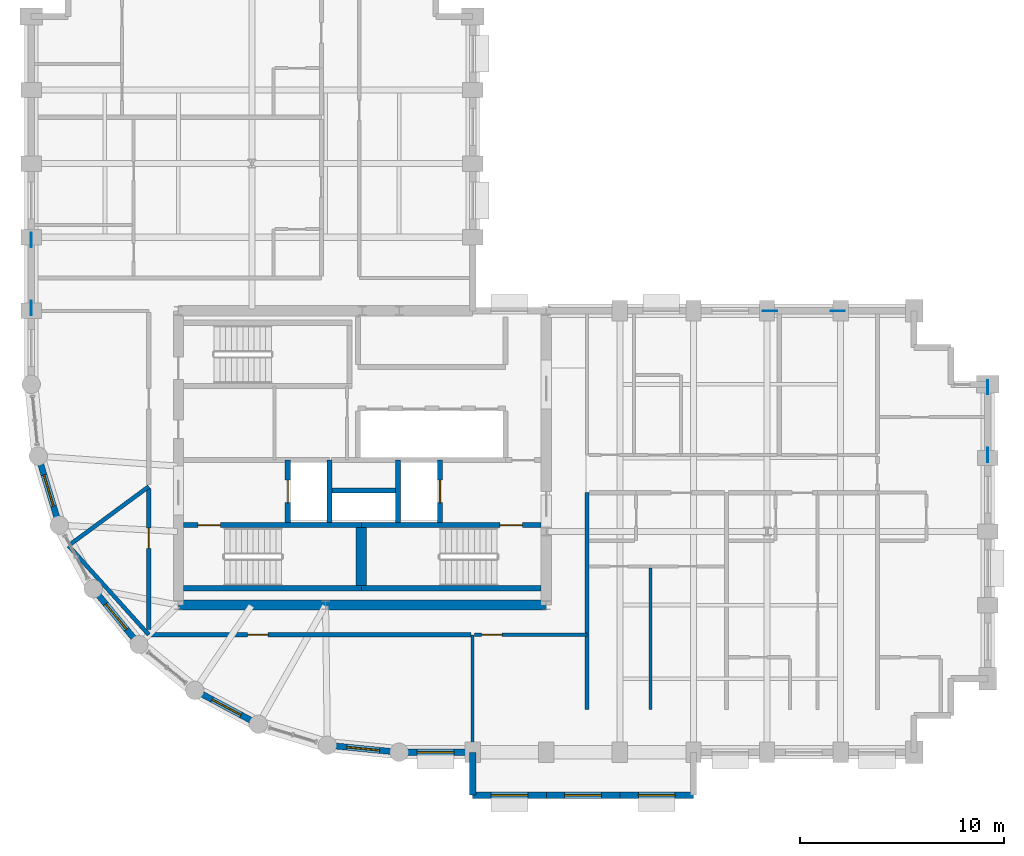
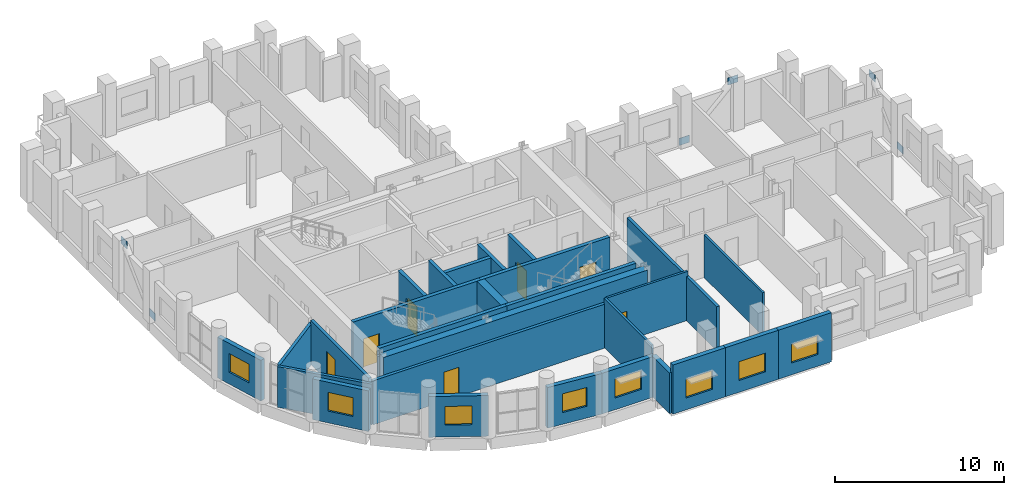
# One storey, part 7 of 14: 28 walls, 8 windows, 7 doors, 6 plates, 15 openings.
"""IFC4 building model written with IfcOpenShell, lengths in metres."""

import ifcopenshell
import ifcopenshell.guid

model = None  # the IFC model being written
_history = None  # IfcOwnerHistory: only IFC2X3 demands one
_inside = {}  # id of a spatial element -> (the spatial element, [elements in it])
_under = {}  # id of a project, library or spatial element -> (it, [spatial elements below it])
_declared = {}  # id of a project -> (the project, [libraries it declares])
_typed = {}  # id of a type object -> (the type object, [elements of that type])
_made_of = {}  # id of a material, layer set ... -> (it, [elements and type objects made of it])


def new_model(schema):
    """Start an empty IFC model of exactly this schema.

    Asked for "IFC4X3", IfcOpenShell would pick the latest addendum, in which some entities
    have other attributes; the version numbers below select the first issue.
    IFC2X3 requires an IfcOwnerHistory on every rooted entity: one is made here for all.
    """
    global model, _history
    if schema == "IFC4X3":
        model = ifcopenshell.file(schema_version=(4, 3, 0, 0))
    else:
        model = ifcopenshell.file(schema=schema)
    _inside.clear()
    _under.clear()
    _declared.clear()
    _typed.clear()
    _made_of.clear()
    _history = None
    if model.schema == "IFC2X3":
        org = make("IfcOrganization", Name="unknown")
        user = make(
            "IfcPersonAndOrganization",
            ThePerson=make("IfcPerson", FamilyName="unknown"),
            TheOrganization=org,
        )
        app = make(
            "IfcApplication",
            ApplicationDeveloper=org,
            Version="unknown",
            ApplicationFullName="unknown",
            ApplicationIdentifier="unknown",
        )
        _history = make(
            "IfcOwnerHistory",
            OwningUser=user,
            OwningApplication=app,
            ChangeAction="ADDED",
            CreationDate=0,
        )
    return model


def make(cls, **values):
    """One entity of the class cls with the attributes given. An attribute that is None is left unset."""
    return model.create_entity(
        cls, **{name: value for name, value in values.items() if value is not None}
    )


def rooted(cls, **values):
    """An entity with a GlobalId (a new one), such as an element, a storey or a relation."""
    return make(cls, GlobalId=ifcopenshell.guid.new(), OwnerHistory=_history, **values)


def si_unit(unit_type, name, prefix=None):
    """IfcSIUnit, for example si_unit("LENGTHUNIT", "METRE", prefix="MILLI")."""
    return make("IfcSIUnit", UnitType=unit_type, Prefix=prefix, Name=name)


def assignment(units):
    """IfcUnitAssignment: the units of a project."""
    return None if units is None else make("IfcUnitAssignment", Units=units)


def point(xyz):
    """IfcCartesianPoint."""
    return None if xyz is None else make("IfcCartesianPoint", Coordinates=xyz)


def direction(xyz):
    """IfcDirection."""
    return None if xyz is None else make("IfcDirection", DirectionRatios=xyz)


def frame(location, z_axis=None, x_axis=None):
    """IfcAxis2Placement3D, a coordinate frame: its origin and axes. An axis left out is left unset."""
    return make(
        "IfcAxis2Placement3D",
        Location=point(location),
        Axis=direction(z_axis),
        RefDirection=direction(x_axis),
    )


def frame_2d(location, x_axis=None):
    """IfcAxis2Placement2D, a coordinate frame in the plane: its origin and x axis."""
    return make(
        "IfcAxis2Placement2D", Location=point(location), RefDirection=direction(x_axis)
    )


def origin():
    """The frame at (0, 0, 0) with its axes left unset."""
    return frame((0.0, 0.0, 0.0))


def origin_2d():
    """The frame at (0, 0) in the plane with its x axis left unset."""
    return frame_2d((0.0, 0.0))


def place(relative_to, where):
    """IfcLocalPlacement: puts the frame where relative to a parent placement (None: the world)."""
    return make(
        "IfcLocalPlacement", PlacementRelTo=relative_to, RelativePlacement=where
    )


def context(
    kind, dimensions, precision=None, world=None, true_north=None, identifier=None
):
    """IfcGeometricRepresentationContext, for example the 3D "Model" context."""
    return make(
        "IfcGeometricRepresentationContext",
        ContextIdentifier=identifier,
        ContextType=kind,
        CoordinateSpaceDimension=dimensions,
        Precision=precision,
        WorldCoordinateSystem=world,
        TrueNorth=true_north,
    )


def subcontext(parent, identifier, kind, view, scale=None):
    """IfcGeometricRepresentationSubContext, for example "Body" below "Model"."""
    return make(
        "IfcGeometricRepresentationSubContext",
        ContextIdentifier=identifier,
        ContextType=kind,
        ParentContext=parent,
        TargetScale=scale,
        TargetView=view,
    )


def project(units=None, contexts=None):
    """IfcProject with its units and contexts."""
    return rooted(
        "IfcProject",
        Name="project",
        RepresentationContexts=contexts,
        UnitsInContext=assignment(units),
    )


def spatial(cls, under=None, at=None, **own):
    """A site, building, storey or space (cls), placed at a placement, below another one or the project."""
    s = rooted(cls, ObjectPlacement=at, **own)
    if under is not None:
        _under.setdefault(under.id(), (under, []))[1].append(s)
    return s


def profile(cls, at=None, kind="AREA", **sizes):
    """A parametric profile (cls). Its sizes go by their IFC names, for example OverallWidth=200.0."""
    return make(cls, ProfileType=kind, Position=at, **sizes)


def rectangle(**sizes):
    """IfcRectangleProfileDef."""
    return profile("IfcRectangleProfileDef", **sizes)


def extrude(swept, where, along, depth):
    """IfcExtrudedAreaSolid: the profile swept, set in the frame where, extruded along a direction by depth."""
    return make(
        "IfcExtrudedAreaSolid",
        SweptArea=swept,
        Position=where,
        ExtrudedDirection=direction(along),
        Depth=depth,
    )


def shape(context_of_items, identifier, shape_type, items):
    """IfcShapeRepresentation: the items that make up one representation, for example the "Body"."""
    return make(
        "IfcShapeRepresentation",
        ContextOfItems=context_of_items,
        RepresentationIdentifier=identifier,
        RepresentationType=shape_type,
        Items=items,
    )


def material(Name=None, Category=None):
    """IfcMaterial."""
    return make("IfcMaterial", Name=Name, Category=Category)


def layer(
    of_material, thickness, ventilated=None, Name=None, Category=None, Priority=None
):
    """IfcMaterialLayer: one layer of a wall or slab, of a material (None: an air gap)."""
    return make(
        "IfcMaterialLayer",
        Material=of_material,
        LayerThickness=thickness,
        IsVentilated=ventilated,
        Name=Name,
        Category=Category,
        Priority=Priority,
    )


def layer_set(layers, Name=None):
    """IfcMaterialLayerSet."""
    return make("IfcMaterialLayerSet", MaterialLayers=layers, LayerSetName=Name)


def made_of(thing, what):
    """Note that an element or type object is made of a material, layer set ...; save() writes the relation."""
    if what is not None:
        _made_of.setdefault(what.id(), (what, []))[1].append(thing)
    return thing


def type_object(cls, material=None, **own):
    """A type object (cls), such as IfcWallType, which elements share."""
    return made_of(rooted(cls, **own), material)


def element(
    cls,
    number,
    at=None,
    inside=None,
    cuts=None,
    type_object=None,
    material=None,
    context=None,
    identifier="Body",
    shape_type=None,
    held_by="IfcProductDefinitionShape",
    body=None,
    shapes=None,
    **own,
):
    """One element of the class cls, such as IfcWall. Its Tag is "e" and its number.

    at: its placement. inside: the storey or other place that contains it. cuts: it is an
    opening in that element (IfcRelVoidsElement). A single representation is given by context,
    identifier, shape_type and body (its items); several are given by shapes. held_by: the class
    of the entity that holds the representations. save() writes the other relations.
    """
    e = rooted(cls, Tag="e%d" % number, ObjectPlacement=at, **own)
    if body is not None:
        shapes = [shape(context, identifier, shape_type, body)]
    if shapes is not None:
        e.Representation = make(held_by, Representations=shapes)
    if inside is not None:
        _inside.setdefault(inside.id(), (inside, []))[1].append(e)
    if cuts is not None:
        rooted(
            "IfcRelVoidsElement", RelatingBuildingElement=cuts, RelatedOpeningElement=e
        )
    if type_object is not None:
        _typed.setdefault(type_object.id(), (type_object, []))[1].append(e)
    return made_of(e, material)


def fill(opening, filler):
    """IfcRelFillsElement: the door or window that sits in an opening."""
    return rooted(
        "IfcRelFillsElement",
        RelatingOpeningElement=opening,
        RelatedBuildingElement=filler,
    )


def aggregate(whole, parts):
    """IfcRelAggregates: a whole, such as a stair, and the parts it consists of."""
    return rooted("IfcRelAggregates", RelatingObject=whole, RelatedObjects=parts)


def save(model, path):
    """Write the relations noted so far, then the file.

    IfcRelAggregates (storeys below a building ...), IfcRelContainedInSpatialStructure (elements
    in a storey), IfcRelDefinesByType, IfcRelAssociatesMaterial and IfcRelDeclares: one each for
    every whole, place, type object, material and project.
    """
    for whole, parts in _under.values():
        aggregate(whole, parts)
    for where, things in _inside.values():
        rooted(
            "IfcRelContainedInSpatialStructure",
            RelatedElements=things,
            RelatingStructure=where,
        )
    for kind, things in _typed.values():
        rooted("IfcRelDefinesByType", RelatedObjects=things, RelatingType=kind)
    for what, things in _made_of.values():
        rooted("IfcRelAssociatesMaterial", RelatedObjects=things, RelatingMaterial=what)
    for by, libraries in _declared.values():
        rooted("IfcRelDeclares", RelatingContext=by, RelatedDefinitions=libraries)
    model.write(path)


model = new_model("IFC4")

# Units and contexts
model_context = context("Model", 3, precision=1e-05, world=origin(), true_north=direction((0.0, 1.0)))
body_context = subcontext(model_context, "Body", "Model", "MODEL_VIEW")
ifc_project = project(units=[si_unit("LENGTHUNIT", "METRE"), si_unit("AREAUNIT", "SQUARE_METRE"), si_unit("VOLUMEUNIT", "CUBIC_METRE"), si_unit("PLANEANGLEUNIT", "RADIAN"), si_unit("MASSUNIT", "GRAM", prefix="KILO")], contexts=[model_context])

# Site, building, storey
site_placement = place(None, origin())
site = spatial("IfcSite", under=ifc_project, at=site_placement, CompositionType="ELEMENT")
building_placement = place(site_placement, origin())
building = spatial("IfcBuilding", under=site, at=building_placement, Name="Solnavia Interchange Tower", CompositionType="ELEMENT")
storey_placement = place(building_placement, frame((0.0, 0.0, 135.199951171875)))
storey = spatial("IfcBuildingStorey", under=building, at=storey_placement, Name="L33", CompositionType="ELEMENT", Elevation=135.199951171875)

# Plates
ifc_material_1 = material(Name="Steel S460", Category="steel")
ifc_layer_1 = layer(ifc_material_1, 0.030029296875)
ifc_layer_set_1 = layer_set([ifc_layer_1], Name="Steel S460")
plate_type = type_object("IfcPlateType", Name="Plate-Gusset-700x520x30", PredefinedType="USERDEFINED", material=ifc_layer_set_1)
for number, where, z_axis, x_axis, name in (
    (1, (7.199951171875, 25.340087890625, -0.080078125), (0.0, 0.0, 1.0), (0.0, 1.0, 0.0), "PLT-L33-GP01 Perimeter brace gusset plate"),
    (2, (7.199951171875, 28.659912109375, 3.110107421875), (0.0, 0.0, 1.0), (0.0, 1.0, 0.0), "PLT-L33-GP02 Perimeter brace gusset plate"),
    (3, (54.0, 18.139892578125, -0.080078125), (0.0, 0.0, 1.0), (0.0, 1.0, 0.0), "PLT-L33-GP03 Perimeter brace gusset plate"),
    (4, (54.0, 21.4599609375, 3.110107421875), (0.0, 0.0, 1.0), (0.0, 1.0, 0.0), "PLT-L33-GP04 Perimeter brace gusset plate"),
    (5, (43.340087890625, 25.199951171875, -0.080078125), (0.0, 0.0, 1.0), (1.0, 0.0, 0.0), "PLT-L33-GP05 Perimeter brace gusset plate"),
    (6, (46.659912109375, 25.199951171875, 3.110107421875), (0.0, 0.0, 1.0), (1.0, 0.0, 0.0), "PLT-L33-GP06 Perimeter brace gusset plate"),
):
    element("IfcPlate", number, at=place(storey_placement, frame(where, z_axis=z_axis, x_axis=x_axis)), inside=storey, type_object=plate_type, Name=name, ObjectType="GUSSET PLATE", PredefinedType="USERDEFINED", context=body_context, shape_type="SweptSolid", body=[
        extrude(rectangle(XDim=0.699951171875, YDim=0.030029296875, at=origin_2d()), origin(), (0.0, 0.0, 1.0), 0.52001953125),
    ])

# Walls
ifc_material_2 = material(Name="Gypsum Acoustic Twin-Stud & Mineral Wool", Category="gypsum")
ifc_layer_2 = layer(ifc_material_2, 0.199951171875)
ifc_layer_set_2 = layer_set([ifc_layer_2], Name="Gypsum Acoustic Twin-Stud & Mineral Wool")
wall_type_1 = type_object("IfcWallType", Name="Wall-ApartmentParty-200", PredefinedType="PARTITIONING", material=ifc_layer_set_2)
wall_1_placement = place(storey_placement, frame((12.949951171875, 9.35009765625, 0.0), z_axis=(0.0, 0.0, 1.0), x_axis=(-0.669433552235, 0.742871939934, 0.0)))
element("IfcWall", 7, at=wall_1_placement, inside=storey, type_object=wall_type_1, Name="PTW-L33-09 Interior partition wall", PredefinedType="PARTITIONING", context=body_context, shape_type="SweptSolid", body=[
    extrude(rectangle(XDim=5.86767578125, YDim=0.199951171875, at=frame_2d((2.933837890625, 0.0))), origin(), (0.0, 0.0, 1.0), 2.929931640625),
])
wall_2_placement = place(storey_placement, frame((12.949951171875, 16.60009765625, 0.0), z_axis=(0.0, 0.0, 1.0), x_axis=(-0.805356553796, -0.592790706116, 0.0)))
element("IfcWall", 8, at=wall_2_placement, inside=storey, type_object=wall_type_1, Name="PTW-L33-10 Interior partition wall", PredefinedType="PARTITIONING", context=body_context, shape_type="SweptSolid", body=[
    extrude(rectangle(XDim=4.7734375, YDim=0.199951171875, at=frame_2d((2.38671875, 0.0))), origin(), (0.0, 0.0, 1.0), 2.929931640625),
])

# Wall, opening, door
wall_3_placement = place(storey_placement, frame((12.949951171875, 9.618896484375, 0.0), z_axis=(0.0, 0.0, 1.0), x_axis=(0.0, 1.0, 0.0)))
wall_3 = element("IfcWall", 9, at=wall_3_placement, inside=storey, type_object=wall_type_1, Name="PTW-L33-12 Interior partition wall", PredefinedType="PARTITIONING", context=body_context, shape_type="SweptSolid", body=[
    extrude(rectangle(XDim=6.877197265625, YDim=0.199951171875, at=frame_2d((3.4384765625, 0.0))), origin(), (0.0, 0.0, 1.0), 3.170166015625),
])
opening_1_placement = place(wall_3_placement, frame((3.9619140625, 0.0, 0.0)))
opening_1 = element("IfcOpeningElement", 10, at=opening_1_placement, cuts=wall_3, Name="Opening DR-07", PredefinedType="OPENING", context=body_context, shape_type="SweptSolid", body=[
    extrude(rectangle(XDim=1.0, YDim=2.10009765625, at=frame_2d((0.5, 1.050048828125))), frame((0.0, 0.10986328125, 0.0), z_axis=(0.0, -1.0, 0.0), x_axis=(1.0, 0.0, 0.0)), (0.0, 0.0, 1.0), 0.219970703125),
])
ifc_material_3 = material(Name="Timber & Acoustic Glazed Office Door", Category="wood")
door_type_1 = type_object("IfcDoorType", Name="Door-Office-1000x2100", OperationType="SINGLE_SWING_RIGHT", PredefinedType="DOOR", material=ifc_material_3)
door_1_placement = place(opening_1_placement, origin())
door_1 = element("IfcDoor", 11, at=door_1_placement, inside=storey, type_object=door_type_1, Name="DR-L33-04 Interior room door", OperationType="SINGLE_SWING_RIGHT", OverallHeight=2.10009765625, OverallWidth=1.0, PredefinedType="DOOR", context=body_context, shape_type="SweptSolid", body=[
    extrude(rectangle(XDim=1.0, YDim=2.10009765625, at=frame_2d((0.5, 1.050048828125))), frame((0.0, 0.02490234375, 0.0), z_axis=(0.0, -1.0, 0.0), x_axis=(1.0, 0.0, 0.0)), (0.0, 0.0, 1.0), 0.050048828125),
])
fill(opening_1, door_1)

wall_4_placement = place(storey_placement, frame((12.949951171875, 9.35009765625, 0.0), z_axis=(0.0, 0.0, 1.0), x_axis=(1.0, 0.0, 0.0)))
wall_4 = element("IfcWall", 12, at=wall_4_placement, inside=storey, type_object=wall_type_1, Name="PTW-L33-13 Interior partition wall", PredefinedType="PARTITIONING", context=body_context, shape_type="SweptSolid", body=[
    extrude(rectangle(XDim=15.77099609375, YDim=0.199951171875, at=frame_2d((7.885498046875, 0.0))), origin(), (0.0, 0.0, 1.0), 3.170166015625),
])
opening_2_placement = place(wall_4_placement, frame((4.8359375, 0.0, 0.0)))
opening_2 = element("IfcOpeningElement", 13, at=opening_2_placement, cuts=wall_4, Name="Opening DR-07", PredefinedType="OPENING", context=body_context, shape_type="SweptSolid", body=[
    extrude(rectangle(XDim=1.0, YDim=2.10009765625, at=frame_2d((0.5, 1.050048828125))), frame((0.0, 0.10986328125, 0.0), z_axis=(0.0, -1.0, 0.0), x_axis=(1.0, 0.0, 0.0)), (0.0, 0.0, 1.0), 0.219970703125),
])
door_2_placement = place(opening_2_placement, origin())
door_2 = element("IfcDoor", 14, at=door_2_placement, inside=storey, type_object=door_type_1, Name="DR-L33-05 Interior room door", OperationType="SINGLE_SWING_LEFT", OverallHeight=2.10009765625, OverallWidth=1.0, PredefinedType="DOOR", context=body_context, shape_type="SweptSolid", body=[
    extrude(rectangle(XDim=1.0, YDim=2.10009765625, at=frame_2d((0.5, 1.050048828125))), frame((0.0, 0.02490234375, 0.0), z_axis=(0.0, -1.0, 0.0), x_axis=(1.0, 0.0, 0.0)), (0.0, 0.0, 1.0), 0.050048828125),
])
fill(opening_2, door_2)

# Wall
wall_5_placement = place(storey_placement, frame((34.39990234375, 5.699951171875, 0.0), z_axis=(0.0, 0.0, 1.0), x_axis=(0.0, 1.0, 0.0)))
element("IfcWall", 15, at=wall_5_placement, inside=storey, type_object=wall_type_1, Name="PTW-L33-15 Interior partition wall", PredefinedType="PARTITIONING", context=body_context, shape_type="SweptSolid", body=[
    extrude(rectangle(XDim=10.60009765625, YDim=0.199951171875, at=frame_2d((5.300048828125, 0.0))), origin(), (0.0, 0.0, 1.0), 3.170166015625),
])

# Wall, opening, window
ifc_material_4 = material(Name="Concrete C40/50", Category="concrete")
ifc_layer_3 = layer(ifc_material_4, 0.300048828125)
ifc_layer_set_3 = layer_set([ifc_layer_3], Name="Concrete C40/50")
wall_type_2 = type_object("IfcWallType", Name="Wall-ExtSpandrel-300", PredefinedType="STANDARD", material=ifc_layer_set_3)
wall_6_placement = place(storey_placement, frame((28.800048828125, 3.60009765625, 0.0), z_axis=(0.0, 0.0, 1.0), x_axis=(-1.0, 0.0, 0.0)))
wall_6 = element("IfcWall", 16, at=wall_6_placement, inside=storey, type_object=wall_type_2, Name="EXW-L33-01 Exterior precast spandrel wall", PredefinedType="STANDARD", context=body_context, shape_type="SweptSolid", body=[
    extrude(rectangle(XDim=3.60009765625, YDim=0.300048828125, at=frame_2d((1.800048828125, 0.0))), origin(), (0.0, 0.0, 1.0), 2.929931640625),
])
opening_3_placement = place(wall_6_placement, frame((0.925048828125, 0.0, 0.85009765625)))
opening_3 = element("IfcOpeningElement", 17, at=opening_3_placement, cuts=wall_6, Name="Opening WIN-02", PredefinedType="OPENING", context=body_context, shape_type="SweptSolid", body=[
    extrude(rectangle(XDim=1.800048828125, YDim=1.35009765625, at=frame_2d((0.89990234375, 0.675048828125))), frame((0.0, 0.16015625, 0.0), z_axis=(0.0, -1.0, 0.0), x_axis=(1.0, 0.0, 0.0)), (0.0, 0.0, 1.0), 0.320068359375),
])
ifc_material_5 = material(Name="Thermal-Break Aluminium & Low-E Glass", Category="aluminium")
window_type_1 = type_object("IfcWindowType", Name="Window-Ribbon-1800x1350", PartitioningType="SINGLE_PANEL", PredefinedType="WINDOW", material=ifc_material_5)
window_1_placement = place(opening_3_placement, origin())
window_1 = element("IfcWindow", 18, at=window_1_placement, inside=storey, type_object=window_type_1, Name="WIN-L33-01 Facade ribbon window", OverallHeight=1.35009765625, OverallWidth=1.800048828125, PartitioningType="SINGLE_PANEL", PredefinedType="WINDOW", context=body_context, shape_type="SweptSolid", body=[
    extrude(rectangle(XDim=1.800048828125, YDim=1.35009765625, at=frame_2d((0.89990234375, 0.675048828125))), frame((0.0, 0.030029296875, 0.0), z_axis=(0.0, -1.0, 0.0), x_axis=(1.0, 0.0, 0.0)), (0.0, 0.0, 1.0), 0.06005859375),
])
fill(opening_3, window_1)

# Wall
wall_7_placement = place(storey_placement, frame((28.800048828125, 3.60009765625, 0.0), z_axis=(0.0, 0.0, 1.0), x_axis=(0.0, -1.0, 0.0)))
element("IfcWall", 19, at=wall_7_placement, inside=storey, type_object=wall_type_2, Name="EXW-L33-02 Exterior precast spandrel wall", PredefinedType="STANDARD", context=body_context, shape_type="SweptSolid", body=[
    extrude(rectangle(XDim=2.10009765625, YDim=0.300048828125, at=frame_2d((1.050048828125, 0.0))), origin(), (0.0, 0.0, 1.0), 2.929931640625),
])

# Wall, opening, window
wall_8_placement = place(storey_placement, frame((32.39990234375, 1.5, 0.0), z_axis=(0.0, 0.0, 1.0), x_axis=(-1.0, 0.0, 0.0)))
wall_8 = element("IfcWall", 20, at=wall_8_placement, inside=storey, type_object=wall_type_2, Name="EXW-L33-03 Exterior precast spandrel wall", PredefinedType="STANDARD", context=body_context, shape_type="SweptSolid", body=[
    extrude(rectangle(XDim=3.599853515625, YDim=0.300048828125, at=frame_2d((1.7998046875, 0.0))), origin(), (0.0, 0.0, 1.0), 3.53515625),
])
opening_4_placement = place(wall_8_placement, frame((0.89990234375, 0.0, 0.85009765625)))
opening_4 = element("IfcOpeningElement", 21, at=opening_4_placement, cuts=wall_8, Name="Opening WIN-02", PredefinedType="OPENING", context=body_context, shape_type="SweptSolid", body=[
    extrude(rectangle(XDim=1.800048828125, YDim=1.35009765625, at=frame_2d((0.89990234375, 0.675048828125))), frame((0.0, 0.16015625, 0.0), z_axis=(0.0, -1.0, 0.0), x_axis=(1.0, 0.0, 0.0)), (0.0, 0.0, 1.0), 0.320068359375),
])
window_2_placement = place(opening_4_placement, origin())
window_2 = element("IfcWindow", 22, at=window_2_placement, inside=storey, type_object=window_type_1, Name="WIN-L33-03 Facade ribbon window", OverallHeight=1.35009765625, OverallWidth=1.800048828125, PartitioningType="SINGLE_PANEL", PredefinedType="WINDOW", context=body_context, shape_type="SweptSolid", body=[
    extrude(rectangle(XDim=1.800048828125, YDim=1.35009765625, at=frame_2d((0.89990234375, 0.675048828125))), frame((0.0, 0.030029296875, 0.0), z_axis=(0.0, -1.0, 0.0), x_axis=(1.0, 0.0, 0.0)), (0.0, 0.0, 1.0), 0.06005859375),
])
fill(opening_4, window_2)

wall_9_placement = place(storey_placement, frame((36.0, 1.5, 0.0), z_axis=(0.0, 0.0, 1.0), x_axis=(-1.0, 0.0, 0.0)))
wall_9 = element("IfcWall", 23, at=wall_9_placement, inside=storey, type_object=wall_type_2, Name="EXW-L33-04 Exterior precast spandrel wall", PredefinedType="STANDARD", context=body_context, shape_type="SweptSolid", body=[
    extrude(rectangle(XDim=3.60009765625, YDim=0.300048828125, at=frame_2d((1.800048828125, 0.0))), origin(), (0.0, 0.0, 1.0), 3.53515625),
])
opening_5_placement = place(wall_9_placement, frame((0.89990234375, 0.0, 0.85009765625)))
opening_5 = element("IfcOpeningElement", 24, at=opening_5_placement, cuts=wall_9, Name="Opening WIN-02", PredefinedType="OPENING", context=body_context, shape_type="SweptSolid", body=[
    extrude(rectangle(XDim=1.800048828125, YDim=1.35009765625, at=frame_2d((0.89990234375, 0.675048828125))), frame((0.0, 0.16015625, 0.0), z_axis=(0.0, -1.0, 0.0), x_axis=(1.0, 0.0, 0.0)), (0.0, 0.0, 1.0), 0.320068359375),
])
window_3_placement = place(opening_5_placement, origin())
window_3 = element("IfcWindow", 25, at=window_3_placement, inside=storey, type_object=window_type_1, Name="WIN-L33-04 Facade ribbon window", OverallHeight=1.35009765625, OverallWidth=1.800048828125, PartitioningType="SINGLE_PANEL", PredefinedType="WINDOW", context=body_context, shape_type="SweptSolid", body=[
    extrude(rectangle(XDim=1.800048828125, YDim=1.35009765625, at=frame_2d((0.89990234375, 0.675048828125))), frame((0.0, 0.030029296875, 0.0), z_axis=(0.0, -1.0, 0.0), x_axis=(1.0, 0.0, 0.0)), (0.0, 0.0, 1.0), 0.06005859375),
])
fill(opening_5, window_3)

wall_10_placement = place(storey_placement, frame((39.60009765625, 1.5, 0.0), z_axis=(0.0, 0.0, 1.0), x_axis=(-1.0, 0.0, 0.0)))
wall_10 = element("IfcWall", 26, at=wall_10_placement, inside=storey, type_object=wall_type_2, Name="EXW-L33-05 Exterior precast spandrel wall", PredefinedType="STANDARD", context=body_context, shape_type="SweptSolid", body=[
    extrude(rectangle(XDim=3.60009765625, YDim=0.300048828125, at=frame_2d((1.800048828125, 0.0))), origin(), (0.0, 0.0, 1.0), 3.53515625),
])
opening_6_placement = place(wall_10_placement, frame((0.89990234375, 0.0, 0.85009765625)))
opening_6 = element("IfcOpeningElement", 27, at=opening_6_placement, cuts=wall_10, Name="Opening WIN-02", PredefinedType="OPENING", context=body_context, shape_type="SweptSolid", body=[
    extrude(rectangle(XDim=1.800048828125, YDim=1.35009765625, at=frame_2d((0.89990234375, 0.675048828125))), frame((0.0, 0.16015625, 0.0), z_axis=(0.0, -1.0, 0.0), x_axis=(1.0, 0.0, 0.0)), (0.0, 0.0, 1.0), 0.320068359375),
])
window_4_placement = place(opening_6_placement, origin())
window_4 = element("IfcWindow", 28, at=window_4_placement, inside=storey, type_object=window_type_1, Name="WIN-L33-05 Facade ribbon window", OverallHeight=1.35009765625, OverallWidth=1.800048828125, PartitioningType="SINGLE_PANEL", PredefinedType="WINDOW", context=body_context, shape_type="SweptSolid", body=[
    extrude(rectangle(XDim=1.800048828125, YDim=1.35009765625, at=frame_2d((0.89990234375, 0.675048828125))), frame((0.0, 0.030029296875, 0.0), z_axis=(0.0, -1.0, 0.0), x_axis=(1.0, 0.0, 0.0)), (0.0, 0.0, 1.0), 0.06005859375),
])
fill(opening_6, window_4)

wall_11_placement = place(storey_placement, frame((8.570068359375, 14.7119140625, 0.0), z_axis=(0.0, 0.0, 1.0), x_axis=(-0.290305086481, 0.956934144423, 0.0)))
wall_11 = element("IfcWall", 29, at=wall_11_placement, inside=storey, type_object=wall_type_2, Name="EXW-L33-50 Exterior precast spandrel wall", PredefinedType="STANDARD", context=body_context, shape_type="SweptSolid", body=[
    extrude(rectangle(XDim=3.52783203125, YDim=0.300048828125, at=frame_2d((1.763916015625, 0.0))), origin(), (0.0, 0.0, 1.0), 2.929931640625),
])
opening_7_placement = place(wall_11_placement, frame((0.964111328125, 0.0, 0.85009765625)))
opening_7 = element("IfcOpeningElement", 30, at=opening_7_placement, cuts=wall_11, Name="Opening WIN-04", PredefinedType="OPENING", context=body_context, shape_type="SweptSolid", body=[
    extrude(rectangle(XDim=1.60009765625, YDim=1.35009765625, at=frame_2d((0.800048828125, 0.675048828125))), frame((0.0, 0.16015625, 0.0), z_axis=(0.0, -1.0, 0.0), x_axis=(1.0, 0.0, 0.0)), (0.0, 0.0, 1.0), 0.320068359375),
])
window_type_2 = type_object("IfcWindowType", Name="Window-Drum-1600x1350", PartitioningType="SINGLE_PANEL", PredefinedType="WINDOW", material=ifc_material_5)
window_5_placement = place(opening_7_placement, origin())
window_5 = element("IfcWindow", 31, at=window_5_placement, inside=storey, type_object=window_type_2, Name="WIN-L33-50 Facade ribbon window", OverallHeight=1.35009765625, OverallWidth=1.60009765625, PartitioningType="SINGLE_PANEL", PredefinedType="WINDOW", context=body_context, shape_type="SweptSolid", body=[
    extrude(rectangle(XDim=1.60009765625, YDim=1.35009765625, at=frame_2d((0.800048828125, 0.675048828125))), frame((0.0, 0.030029296875, 0.0), z_axis=(0.0, -1.0, 0.0), x_axis=(1.0, 0.0, 0.0)), (0.0, 0.0, 1.0), 0.06005859375),
])
fill(opening_7, window_5)

wall_12_placement = place(storey_placement, frame((12.471923828125, 8.8720703125, 0.0), z_axis=(0.0, 0.0, 1.0), x_axis=(-0.634258295121, 0.773121216285, 0.0)))
wall_12 = element("IfcWall", 32, at=wall_12_placement, inside=storey, type_object=wall_type_2, Name="EXW-L33-52 Exterior precast spandrel wall", PredefinedType="STANDARD", context=body_context, shape_type="SweptSolid", body=[
    extrude(rectangle(XDim=3.528564453125, YDim=0.300048828125, at=frame_2d((1.76416015625, 0.0))), origin(), (0.0, 0.0, 1.0), 2.929931640625),
])
opening_8_placement = place(wall_12_placement, frame((0.964111328125, 0.0, 0.85009765625)))
opening_8 = element("IfcOpeningElement", 33, at=opening_8_placement, cuts=wall_12, Name="Opening WIN-04", PredefinedType="OPENING", context=body_context, shape_type="SweptSolid", body=[
    extrude(rectangle(XDim=1.60009765625, YDim=1.35009765625, at=frame_2d((0.800048828125, 0.675048828125))), frame((0.0, 0.16015625, 0.0), z_axis=(0.0, -1.0, 0.0), x_axis=(1.0, 0.0, 0.0)), (0.0, 0.0, 1.0), 0.320068359375),
])
window_6_placement = place(opening_8_placement, origin())
window_6 = element("IfcWindow", 34, at=window_6_placement, inside=storey, type_object=window_type_2, Name="WIN-L33-52 Facade ribbon window", OverallHeight=1.35009765625, OverallWidth=1.60009765625, PartitioningType="SINGLE_PANEL", PredefinedType="WINDOW", context=body_context, shape_type="SweptSolid", body=[
    extrude(rectangle(XDim=1.60009765625, YDim=1.35009765625, at=frame_2d((0.800048828125, 0.675048828125))), frame((0.0, 0.030029296875, 0.0), z_axis=(0.0, -1.0, 0.0), x_axis=(1.0, 0.0, 0.0)), (0.0, 0.0, 1.0), 0.06005859375),
])
fill(opening_8, window_6)

wall_13_placement = place(storey_placement, frame((18.31201171875, 4.969970703125, 0.0), z_axis=(0.0, 0.0, 1.0), x_axis=(-0.881846862014, 0.471535907389, 0.0)))
wall_13 = element("IfcWall", 35, at=wall_13_placement, inside=storey, type_object=wall_type_2, Name="EXW-L33-54 Exterior precast spandrel wall", PredefinedType="STANDARD", context=body_context, shape_type="SweptSolid", body=[
    extrude(rectangle(XDim=3.529052734375, YDim=0.300048828125, at=frame_2d((1.7646484375, 0.0))), origin(), (0.0, 0.0, 1.0), 2.929931640625),
])
opening_9_placement = place(wall_13_placement, frame((0.964111328125, 0.0, 0.85009765625)))
opening_9 = element("IfcOpeningElement", 36, at=opening_9_placement, cuts=wall_13, Name="Opening WIN-04", PredefinedType="OPENING", context=body_context, shape_type="SweptSolid", body=[
    extrude(rectangle(XDim=1.60009765625, YDim=1.35009765625, at=frame_2d((0.800048828125, 0.675048828125))), frame((0.0, 0.16015625, 0.0), z_axis=(0.0, -1.0, 0.0), x_axis=(1.0, 0.0, 0.0)), (0.0, 0.0, 1.0), 0.320068359375),
])
window_7_placement = place(opening_9_placement, origin())
window_7 = element("IfcWindow", 37, at=window_7_placement, inside=storey, type_object=window_type_2, Name="WIN-L33-54 Facade ribbon window", OverallHeight=1.35009765625, OverallWidth=1.60009765625, PartitioningType="SINGLE_PANEL", PredefinedType="WINDOW", context=body_context, shape_type="SweptSolid", body=[
    extrude(rectangle(XDim=1.60009765625, YDim=1.35009765625, at=frame_2d((0.800048828125, 0.675048828125))), frame((0.0, 0.030029296875, 0.0), z_axis=(0.0, -1.0, 0.0), x_axis=(1.0, 0.0, 0.0)), (0.0, 0.0, 1.0), 0.06005859375),
])
fill(opening_9, window_7)

wall_14_placement = place(storey_placement, frame((25.199951171875, 3.60009765625, 0.0), z_axis=(0.0, 0.0, 1.0), x_axis=(-0.995183369056, 0.098030923459, 0.0)))
wall_14 = element("IfcWall", 38, at=wall_14_placement, inside=storey, type_object=wall_type_2, Name="EXW-L33-56 Exterior precast spandrel wall", PredefinedType="STANDARD", context=body_context, shape_type="SweptSolid", body=[
    extrude(rectangle(XDim=3.529052734375, YDim=0.300048828125, at=frame_2d((1.7646484375, 0.0))), origin(), (0.0, 0.0, 1.0), 2.929931640625),
])
opening_10_placement = place(wall_14_placement, frame((0.965087890625, 0.0, 0.85009765625)))
opening_10 = element("IfcOpeningElement", 39, at=opening_10_placement, cuts=wall_14, Name="Opening WIN-04", PredefinedType="OPENING", context=body_context, shape_type="SweptSolid", body=[
    extrude(rectangle(XDim=1.60009765625, YDim=1.35009765625, at=frame_2d((0.800048828125, 0.675048828125))), frame((0.0, 0.16015625, 0.0), z_axis=(0.0, -1.0, 0.0), x_axis=(1.0, 0.0, 0.0)), (0.0, 0.0, 1.0), 0.320068359375),
])
window_8_placement = place(opening_10_placement, origin())
window_8 = element("IfcWindow", 40, at=window_8_placement, inside=storey, type_object=window_type_2, Name="WIN-L33-56 Facade ribbon window", OverallHeight=1.35009765625, OverallWidth=1.60009765625, PartitioningType="SINGLE_PANEL", PredefinedType="WINDOW", context=body_context, shape_type="SweptSolid", body=[
    extrude(rectangle(XDim=1.60009765625, YDim=1.35009765625, at=frame_2d((0.800048828125, 0.675048828125))), frame((0.0, 0.030029296875, 0.0), z_axis=(0.0, -1.0, 0.0), x_axis=(1.0, 0.0, 0.0)), (0.0, 0.0, 1.0), 0.06005859375),
])
fill(opening_10, window_8)

# Wall
ifc_material_6 = material(Name="Gypsum Plasterboard & Steel Stud", Category="steel")
ifc_layer_4 = layer(ifc_material_6, 0.14990234375)
ifc_layer_set_4 = layer_set([ifc_layer_4], Name="Gypsum Plasterboard & Steel Stud")
wall_type_3 = type_object("IfcWallType", Name="Wall-Partition-150", PredefinedType="PARTITIONING", material=ifc_layer_set_4)
wall_15_placement = place(storey_placement, frame((28.800048828125, 9.35009765625, 0.0), z_axis=(0.0, 0.0, 1.0), x_axis=(0.0, -1.0, 0.0)))
element("IfcWall", 41, at=wall_15_placement, inside=storey, type_object=wall_type_3, Name="PTW-L33-08 Interior partition wall", PredefinedType="PARTITIONING", context=body_context, shape_type="SweptSolid", body=[
    extrude(rectangle(XDim=5.59619140625, YDim=0.14990234375, at=frame_2d((2.798095703125, 0.0))), origin(), (0.0, 0.0, 1.0), 3.53515625),
])

# Wall, opening, door
wall_16_placement = place(storey_placement, frame((28.87890625, 9.35009765625, 0.0), z_axis=(0.0, 0.0, 1.0), x_axis=(1.0, 0.0, 0.0)))
wall_16 = element("IfcWall", 42, at=wall_16_placement, inside=storey, type_object=wall_type_3, Name="PTW-L33-14 Interior partition wall", PredefinedType="PARTITIONING", context=body_context, shape_type="SweptSolid", body=[
    extrude(rectangle(XDim=5.52099609375, YDim=0.14990234375, at=frame_2d((2.760498046875, 0.0))), origin(), (0.0, 0.0, 1.0), 3.53515625),
])
opening_11_placement = place(wall_16_placement, frame((0.360107421875, 0.0, 0.0)))
opening_11 = element("IfcOpeningElement", 43, at=opening_11_placement, cuts=wall_16, Name="Opening DR-07", PredefinedType="OPENING", context=body_context, shape_type="SweptSolid", body=[
    extrude(rectangle(XDim=1.0, YDim=2.10009765625, at=frame_2d((0.5, 1.050048828125))), frame((0.0, 0.0849609375, 0.0), z_axis=(0.0, -1.0, 0.0), x_axis=(1.0, 0.0, 0.0)), (0.0, 0.0, 1.0), 0.169921875),
])
door_3_placement = place(opening_11_placement, origin())
door_3 = element("IfcDoor", 44, at=door_3_placement, inside=storey, type_object=door_type_1, Name="DR-L33-06 Interior room door", OperationType="SINGLE_SWING_LEFT", OverallHeight=2.10009765625, OverallWidth=1.0, PredefinedType="DOOR", context=body_context, shape_type="SweptSolid", body=[
    extrude(rectangle(XDim=1.0, YDim=2.10009765625, at=frame_2d((0.5, 1.050048828125))), frame((0.0, 0.02490234375, 0.0), z_axis=(0.0, -1.0, 0.0), x_axis=(1.0, 0.0, 0.0)), (0.0, 0.0, 1.0), 0.050048828125),
])
fill(opening_11, door_3)

# Wall
ifc_layer_5 = layer(ifc_material_4, 0.25)
ifc_layer_set_5 = layer_set([ifc_layer_5], Name="Concrete C40/50")
wall_type_4 = type_object("IfcWallType", Name="Wall-ShaftCore-250", PredefinedType="SHEAR", material=ifc_layer_set_5)
wall_17_placement = place(storey_placement, frame((14.64990234375, 11.625, 0.0), z_axis=(0.0, 0.0, 1.0), x_axis=(1.0, 0.0, 0.0)))
element("IfcWall", 45, at=wall_17_placement, inside=storey, type_object=wall_type_4, Name="SHW-L33-ST1S Core shear wall", PredefinedType="SHEAR", context=body_context, shape_type="SweptSolid", body=[
    extrude(rectangle(XDim=8.7001953125, YDim=0.25, at=frame_2d((4.35009765625, 0.0))), origin(), (0.0, 0.0, 1.0), 3.550048828125),
])

# Wall, opening, door
wall_18_placement = place(storey_placement, frame((14.64990234375, 14.715087890625, 0.0), z_axis=(0.0, 0.0, 1.0), x_axis=(1.0, 0.0, 0.0)))
wall_18 = element("IfcWall", 46, at=wall_18_placement, inside=storey, type_object=wall_type_4, Name="SHW-L33-ST1N Core shear wall", PredefinedType="SHEAR", context=body_context, shape_type="SweptSolid", body=[
    extrude(rectangle(XDim=8.7001953125, YDim=0.25, at=frame_2d((4.35009765625, 0.0))), origin(), (0.0, 0.0, 1.0), 3.550048828125),
])
opening_12_placement = place(wall_18_placement, frame((0.705078125, 0.0, 0.0)))
opening_12 = element("IfcOpeningElement", 47, at=opening_12_placement, cuts=wall_18, Name="Opening DR-01", PredefinedType="OPENING", context=body_context, shape_type="SweptSolid", body=[
    extrude(rectangle(XDim=1.10009765625, YDim=2.10009765625, at=frame_2d((0.550048828125, 1.050048828125))), frame((0.0, 0.135009765625, 0.0), z_axis=(0.0, -1.0, 0.0), x_axis=(1.0, 0.0, 0.0)), (0.0, 0.0, 1.0), 0.27001953125),
])
ifc_material_7 = material(Name="Steel Fire-Rated Leaf & Frame", Category="steel")
door_type_2 = type_object("IfcDoorType", Name="Door-StairFire-1100x2100", OperationType="SINGLE_SWING_LEFT", PredefinedType="DOOR", material=ifc_material_7)
door_4_placement = place(opening_12_placement, origin())
door_4 = element("IfcDoor", 48, at=door_4_placement, inside=storey, type_object=door_type_2, Name="DR-L33-ST1 Core fire door", OperationType="SINGLE_SWING_LEFT", OverallHeight=2.10009765625, OverallWidth=1.10009765625, PredefinedType="DOOR", context=body_context, shape_type="SweptSolid", body=[
    extrude(rectangle(XDim=1.10009765625, YDim=2.10009765625, at=frame_2d((0.550048828125, 1.050048828125))), frame((0.0, 0.02490234375, 0.0), z_axis=(0.0, -1.0, 0.0), x_axis=(1.0, 0.0, 0.0)), (0.0, 0.0, 1.0), 0.050048828125),
])
fill(opening_12, door_4)

# Wall
wall_19_placement = place(storey_placement, frame((23.35009765625, 11.625, 0.0), z_axis=(0.0, 0.0, 1.0), x_axis=(1.0, 0.0, 0.0)))
element("IfcWall", 49, at=wall_19_placement, inside=storey, type_object=wall_type_4, Name="SHW-L33-ST2S Core shear wall", PredefinedType="SHEAR", context=body_context, shape_type="SweptSolid", body=[
    extrude(rectangle(XDim=8.7998046875, YDim=0.25, at=frame_2d((4.39990234375, 0.0))), origin(), (0.0, 0.0, 1.0), 3.550048828125),
])

# Wall, opening, door
wall_20_placement = place(storey_placement, frame((23.35009765625, 14.715087890625, 0.0), z_axis=(0.0, 0.0, 1.0), x_axis=(1.0, 0.0, 0.0)))
wall_20 = element("IfcWall", 50, at=wall_20_placement, inside=storey, type_object=wall_type_4, Name="SHW-L33-ST2N Core shear wall", PredefinedType="SHEAR", context=body_context, shape_type="SweptSolid", body=[
    extrude(rectangle(XDim=8.7998046875, YDim=0.25, at=frame_2d((4.39990234375, 0.0))), origin(), (0.0, 0.0, 1.0), 3.550048828125),
])
opening_13_placement = place(wall_20_placement, frame((6.77490234375, 0.0, 0.0)))
opening_13 = element("IfcOpeningElement", 51, at=opening_13_placement, cuts=wall_20, Name="Opening DR-01", PredefinedType="OPENING", context=body_context, shape_type="SweptSolid", body=[
    extrude(rectangle(XDim=1.10009765625, YDim=2.10009765625, at=frame_2d((0.550048828125, 1.050048828125))), frame((0.0, 0.135009765625, 0.0), z_axis=(0.0, -1.0, 0.0), x_axis=(1.0, 0.0, 0.0)), (0.0, 0.0, 1.0), 0.27001953125),
])
door_5_placement = place(opening_13_placement, origin())
door_5 = element("IfcDoor", 52, at=door_5_placement, inside=storey, type_object=door_type_2, Name="DR-L33-ST2 Core fire door", OperationType="SINGLE_SWING_LEFT", OverallHeight=2.10009765625, OverallWidth=1.10009765625, PredefinedType="DOOR", context=body_context, shape_type="SweptSolid", body=[
    extrude(rectangle(XDim=1.10009765625, YDim=2.10009765625, at=frame_2d((0.550048828125, 1.050048828125))), frame((0.0, 0.02490234375, 0.0), z_axis=(0.0, -1.0, 0.0), x_axis=(1.0, 0.0, 0.0)), (0.0, 0.0, 1.0), 0.050048828125),
])
fill(opening_13, door_5)

ifc_layer_6 = layer(ifc_material_4, 0.25)
ifc_layer_set_6 = layer_set([ifc_layer_6], Name="Concrete C40/50")
wall_type_5 = type_object("IfcWallType", Name="Wall-ShaftPart-250", PredefinedType="PARTITIONING", material=ifc_layer_set_6)
wall_21_placement = place(storey_placement, frame((19.75, 14.840087890625, 0.0), z_axis=(0.0, 0.0, 1.0), x_axis=(0.0, 1.0, 0.0)))
wall_21 = element("IfcWall", 53, at=wall_21_placement, inside=storey, type_object=wall_type_5, Name="SHW-L33-FFL1-W Core shaft wall", PredefinedType="PARTITIONING", context=body_context, shape_type="SweptSolid", body=[
    extrude(rectangle(XDim=3.059814453125, YDim=0.25, at=frame_2d((1.52978515625, 0.0))), origin(), (0.0, 0.0, 1.0), 3.53515625),
])
opening_14_placement = place(wall_21_placement, frame((0.97998046875, 0.0, 0.0)))
opening_14 = element("IfcOpeningElement", 54, at=opening_14_placement, cuts=wall_21, Name="Opening LD-01", PredefinedType="OPENING", context=body_context, shape_type="SweptSolid", body=[
    extrude(rectangle(XDim=1.10009765625, YDim=2.10009765625, at=frame_2d((0.550048828125, 1.050048828125))), frame((0.0, 0.135009765625, 0.0), z_axis=(0.0, -1.0, 0.0), x_axis=(1.0, 0.0, 0.0)), (0.0, 0.0, 1.0), 0.27001953125),
])
ifc_material_8 = material(Name="Brushed Stainless Steel Sliding Door", Category="steel")
door_type_3 = type_object("IfcDoorType", Name="Door-LiftLanding-1100x2100", OperationType="SLIDING_TO_LEFT", PredefinedType="DOOR", material=ifc_material_8)
door_6_placement = place(opening_14_placement, origin())
door_6 = element("IfcDoor", 55, at=door_6_placement, inside=storey, type_object=door_type_3, Name="LD-L33-FFL1 Lift landing sliding door", OperationType="SLIDING_TO_LEFT", OverallHeight=2.10009765625, OverallWidth=1.10009765625, PredefinedType="DOOR", context=body_context, shape_type="SweptSolid", body=[
    extrude(rectangle(XDim=1.10009765625, YDim=2.10009765625, at=frame_2d((0.550048828125, 1.050048828125))), frame((0.0, 0.02490234375, 0.0), z_axis=(0.0, -1.0, 0.0), x_axis=(1.0, 0.0, 0.0)), (0.0, 0.0, 1.0), 0.050048828125),
])
fill(opening_14, door_6)

# Walls
for number, where, z_axis, x_axis, name in (
    (56, (21.800048828125, 14.840087890625, 0.0), (0.0, 0.0, 1.0), (0.0, 1.0, 0.0), "SHW-L33-FFL1-E Core shaft wall"),
    (57, (25.14990234375, 14.840087890625, 0.0), (0.0, 0.0, 1.0), (0.0, 1.0, 0.0), "SHW-L33-FFL2-W Core shaft wall"),
):
    element("IfcWall", number, at=place(storey_placement, frame(where, z_axis=z_axis, x_axis=x_axis)), inside=storey, type_object=wall_type_5, Name=name, PredefinedType="PARTITIONING", context=body_context, shape_type="SweptSolid", body=[
        extrude(rectangle(XDim=3.059814453125, YDim=0.25, at=frame_2d((1.52978515625, 0.0))), origin(), (0.0, 0.0, 1.0), 3.53515625),
    ])

# Wall, opening, door
wall_22_placement = place(storey_placement, frame((27.199951171875, 14.840087890625, 0.0), z_axis=(0.0, 0.0, 1.0), x_axis=(0.0, 1.0, 0.0)))
wall_22 = element("IfcWall", 58, at=wall_22_placement, inside=storey, type_object=wall_type_5, Name="SHW-L33-FFL2-E Core shaft wall", PredefinedType="PARTITIONING", context=body_context, shape_type="SweptSolid", body=[
    extrude(rectangle(XDim=3.059814453125, YDim=0.25, at=frame_2d((1.52978515625, 0.0))), origin(), (0.0, 0.0, 1.0), 3.53515625),
])
opening_15_placement = place(wall_22_placement, frame((0.97998046875, 0.0, 0.0)))
opening_15 = element("IfcOpeningElement", 59, at=opening_15_placement, cuts=wall_22, Name="Opening LD-01", PredefinedType="OPENING", context=body_context, shape_type="SweptSolid", body=[
    extrude(rectangle(XDim=1.10009765625, YDim=2.10009765625, at=frame_2d((0.550048828125, 1.050048828125))), frame((0.0, 0.135009765625, 0.0), z_axis=(0.0, -1.0, 0.0), x_axis=(1.0, 0.0, 0.0)), (0.0, 0.0, 1.0), 0.27001953125),
])
door_7_placement = place(opening_15_placement, origin())
door_7 = element("IfcDoor", 60, at=door_7_placement, inside=storey, type_object=door_type_3, Name="LD-L33-FFL2 Lift landing sliding door", OperationType="SLIDING_TO_LEFT", OverallHeight=2.10009765625, OverallWidth=1.10009765625, PredefinedType="DOOR", context=body_context, shape_type="SweptSolid", body=[
    extrude(rectangle(XDim=1.10009765625, YDim=2.10009765625, at=frame_2d((0.550048828125, 1.050048828125))), frame((0.0, 0.02490234375, 0.0), z_axis=(0.0, -1.0, 0.0), x_axis=(1.0, 0.0, 0.0)), (0.0, 0.0, 1.0), 0.050048828125),
])
fill(opening_15, door_7)

# Walls
wall_23_placement = place(storey_placement, frame((21.800048828125, 16.39990234375, 0.0), z_axis=(0.0, 0.0, 1.0), x_axis=(1.0, 0.0, 0.0)))
element("IfcWall", 61, at=wall_23_placement, inside=storey, type_object=wall_type_5, Name="SHW-L33-MEP-N Core shaft wall", PredefinedType="PARTITIONING", context=body_context, shape_type="SweptSolid", body=[
    extrude(rectangle(XDim=3.349853515625, YDim=0.25, at=frame_2d((1.6748046875, 0.0))), origin(), (0.0, 0.0, 1.0), 3.53515625),
])
ifc_material_9 = material(Name="Concrete C60/75", Category="concrete")
ifc_layer_7 = layer(ifc_material_9, 0.5)
ifc_layer_set_7 = layer_set([ifc_layer_7], Name="Concrete C60/75")
wall_type_6 = type_object("IfcWallType", Name="Wall-ShearCore-500", PredefinedType="SHEAR", material=ifc_layer_set_7)
wall_24_placement = place(storey_placement, frame((14.39990234375, 10.800048828125, 0.0), z_axis=(0.0, 0.0, 1.0), x_axis=(1.0, 0.0, 0.0)))
element("IfcWall", 62, at=wall_24_placement, inside=storey, type_object=wall_type_6, Name="CRW-L33-S Core shear wall", PredefinedType="SHEAR", context=body_context, shape_type="SweptSolid", body=[
    extrude(rectangle(XDim=18.0, YDim=0.5, at=frame_2d((9.0, 0.0))), origin(), (0.0, 0.0, 1.0), 3.550048828125),
])
wall_25_placement = place(storey_placement, frame((23.35009765625, 11.75, 0.0), z_axis=(0.0, 0.0, 1.0), x_axis=(0.0, 1.0, 0.0)))
element("IfcWall", 63, at=wall_25_placement, inside=storey, type_object=wall_type_6, Name="SHW-L33-ST12M Core shear wall", PredefinedType="SHEAR", context=body_context, shape_type="SweptSolid", body=[
    extrude(rectangle(XDim=2.840087890625, YDim=0.5, at=frame_2d((1.419921875, 0.0))), origin(), (0.0, 0.0, 1.0), 3.550048828125),
])
ifc_material_10 = material(Name="Moisture-Resistant Gypsum & Steel Stud", Category="steel")
ifc_layer_8 = layer(ifc_material_10, 0.14990234375)
ifc_layer_set_8 = layer_set([ifc_layer_8], Name="Moisture-Resistant Gypsum & Steel Stud")
wall_type_7 = type_object("IfcWallType", Name="Wall-WetRoom-150", PredefinedType="PARTITIONING", material=ifc_layer_set_8)
wall_26_placement = place(storey_placement, frame((37.5, 5.699951171875, 0.0), z_axis=(0.0, 0.0, 1.0), x_axis=(0.0, 1.0, 0.0)))
element("IfcWall", 64, at=wall_26_placement, inside=storey, type_object=wall_type_7, Name="PTW-L33-23 Interior partition wall", PredefinedType="PARTITIONING", context=body_context, shape_type="SweptSolid", body=[
    extrude(rectangle(XDim=6.921142578125, YDim=0.14990234375, at=frame_2d((3.46044921875, 0.0))), origin(), (0.0, 0.0, 1.0), 3.080078125),
])

save(model, "model.ifc")
